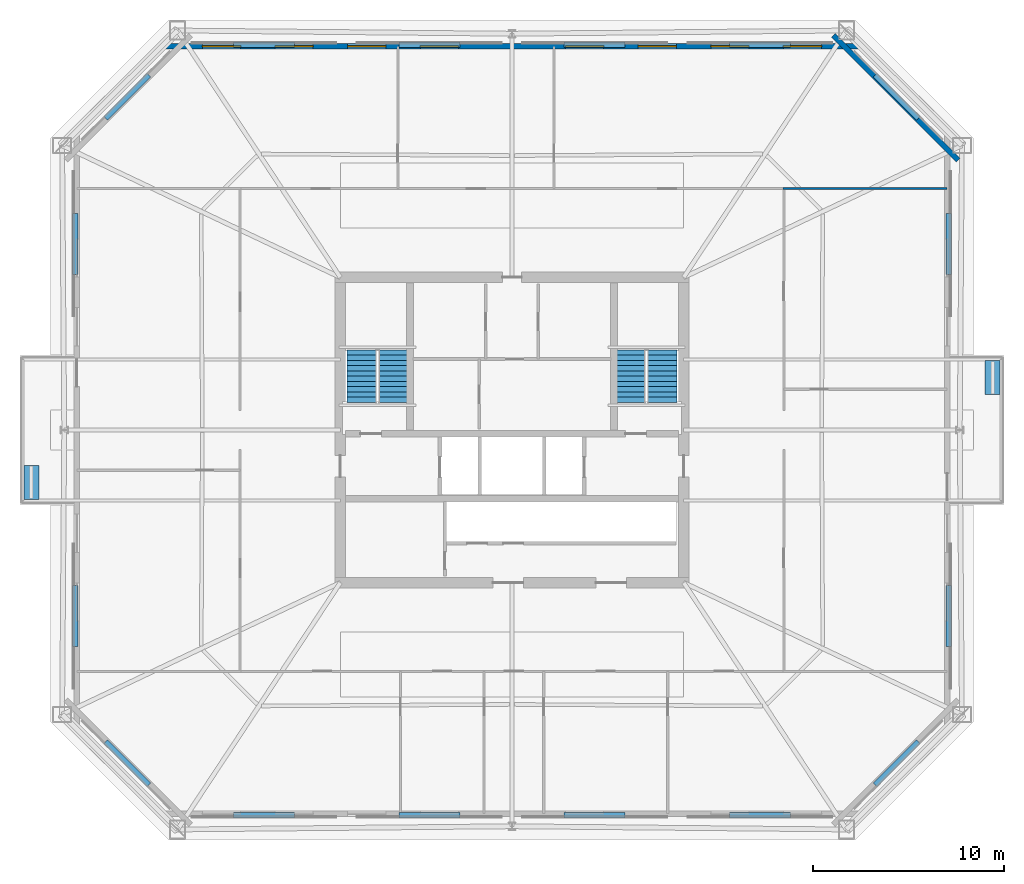
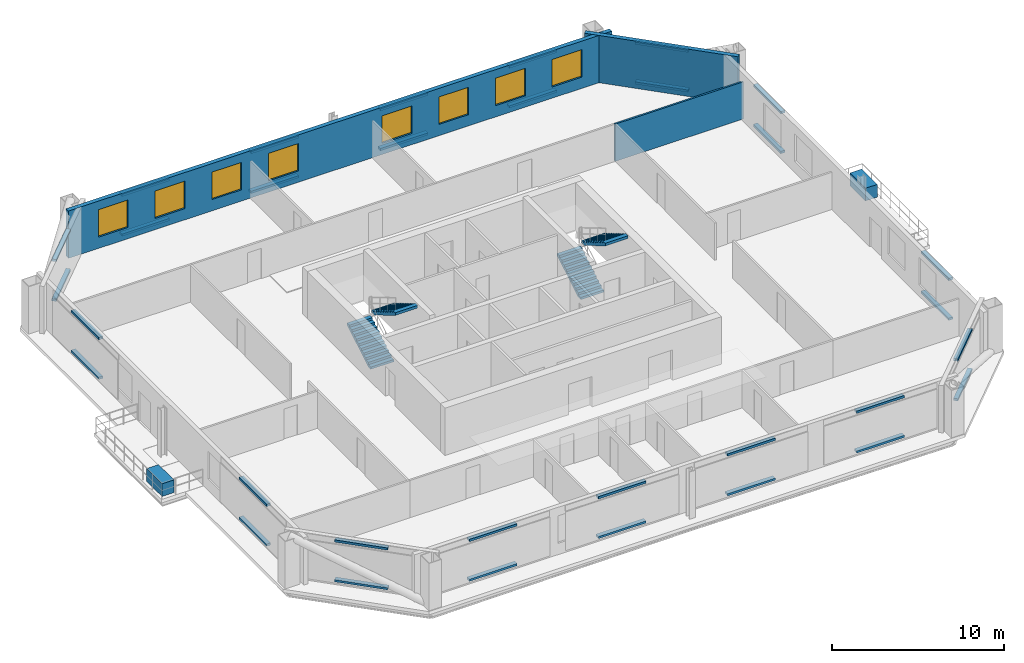
# One storey, part 5 of 8: 34 discrete accessories, 8 windows, 4 stair flights, 3 walls, 8 openings, 2 elements without a shape of their own.
"""IFC4 building model written with IfcOpenShell, lengths in metres."""

from ifc_helpers import new_model, si_unit, direction, frame, frame_2d, origin, origin_2d, place, context, subcontext, project, spatial, polyline, rectangle, outline, extrude, material, layer, layer_set, type_object, element, fill, aggregate, save


model = new_model("IFC4")

# Units and contexts
model_context = context("Model", 3, precision=1e-05, world=origin(), true_north=direction((0.0, 1.0)))
body_context = subcontext(model_context, "Body", "Model", "MODEL_VIEW")
ifc_project = project(units=[si_unit("LENGTHUNIT", "METRE"), si_unit("AREAUNIT", "SQUARE_METRE"), si_unit("VOLUMEUNIT", "CUBIC_METRE"), si_unit("PLANEANGLEUNIT", "RADIAN"), si_unit("MASSUNIT", "GRAM", prefix="KILO")], contexts=[model_context])

# Site, building, storey
site_placement = place(None, origin())
site = spatial("IfcSite", under=ifc_project, at=site_placement, CompositionType="ELEMENT")
building_placement = place(site_placement, origin())
building = spatial("IfcBuilding", under=site, at=building_placement, Name="Caelvoria Tower", CompositionType="ELEMENT")
storey_placement = place(building_placement, frame((0.0, 0.0, 142.0)))
storey = spatial("IfcBuildingStorey", under=building, at=storey_placement, Name="L37", CompositionType="ELEMENT", Elevation=142.0)

# Wall
ifc_material_1 = material(Name="Precast Concrete C40/50 with Bronze Cladding", Category="concrete")
ifc_layer_1 = layer(ifc_material_1, 0.280029296875, Name="Precast Concrete C40/50 with Bronze Cladding")
ifc_layer_set_1 = layer_set([ifc_layer_1], Name="Exterior Precast Concrete C40/50 Bronze-Clad Facade Wall 280 - Precast Concrete C40/50 with Bronze Cladding")
wall_type_1 = type_object("IfcWallType", Name="Exterior Precast Concrete C40/50 Bronze-Clad Facade Wall 280", PredefinedType="STANDARD", material=ifc_layer_set_1)
wall_1_placement = place(storey_placement, frame((69.393798828125, 46.154541015625, 0.0), z_axis=(0.0, 0.0, 1.0), x_axis=(-0.707106781187, 0.707106781187, 0.0)))
element("IfcWall", 1, at=wall_1_placement, inside=storey, type_object=wall_type_1, Name="Exterior Facade Wall L37-E3", PredefinedType="STANDARD", context=body_context, shape_type="SweptSolid", body=[
    extrude(rectangle(XDim=9.248046875, YDim=0.280029296875, at=frame_2d((4.6240234375, 0.0))), origin(), (0.0, 0.0, 1.0), 3.360107421875),
])

# Wall, openings, windows
wall_2_placement = place(storey_placement, frame((64.239990234375, 52.1201171875, 0.0), z_axis=(0.0, 0.0, 1.0), x_axis=(-1.0, 0.0, 0.0)))
wall_2 = element("IfcWall", 2, at=wall_2_placement, inside=storey, type_object=wall_type_1, Name="Exterior Facade Wall L37-E4", PredefinedType="STANDARD", context=body_context, shape_type="SweptSolid", body=[
    extrude(rectangle(XDim=36.47998046875, YDim=0.280029296875, at=frame_2d((18.239990234375, 0.0))), origin(), (0.0, 0.0, 1.0), 3.360107421875),
])
opening_1_placement = place(wall_2_placement, frame((2.00439453125, 0.0, 0.800048828125)))
opening_1 = element("IfcOpeningElement", 3, at=opening_1_placement, cuts=wall_2, Name="Opening WN-01", PredefinedType="OPENING", context=body_context, shape_type="SweptSolid", body=[
    extrude(rectangle(XDim=2.0, YDim=1.949951171875, at=frame_2d((1.0, 0.97509765625))), frame((0.0, 0.14990234375, 0.0), z_axis=(0.0, -1.0, 0.0), x_axis=(1.0, 0.0, 0.0)), (0.0, 0.0, 1.0), 0.300048828125),
])
opening_2_placement = place(wall_2_placement, frame((5.813232421875, 0.0, 0.800048828125)))
opening_2 = element("IfcOpeningElement", 4, at=opening_2_placement, cuts=wall_2, Name="Opening WN-01", PredefinedType="OPENING", context=body_context, shape_type="SweptSolid", body=[
    extrude(rectangle(XDim=2.0, YDim=1.949951171875, at=frame_2d((1.0, 0.97509765625))), frame((0.0, 0.14990234375, 0.0), z_axis=(0.0, -1.0, 0.0), x_axis=(1.0, 0.0, 0.0)), (0.0, 0.0, 1.0), 0.300048828125),
])
opening_3_placement = place(wall_2_placement, frame((9.622314453125, 0.0, 0.800048828125)))
opening_3 = element("IfcOpeningElement", 5, at=opening_3_placement, cuts=wall_2, Name="Opening WN-01", PredefinedType="OPENING", context=body_context, shape_type="SweptSolid", body=[
    extrude(rectangle(XDim=2.0, YDim=1.949951171875, at=frame_2d((1.0, 0.97509765625))), frame((0.0, 0.14990234375, 0.0), z_axis=(0.0, -1.0, 0.0), x_axis=(1.0, 0.0, 0.0)), (0.0, 0.0, 1.0), 0.300048828125),
])
opening_4_placement = place(wall_2_placement, frame((13.43115234375, 0.0, 0.800048828125)))
opening_4 = element("IfcOpeningElement", 6, at=opening_4_placement, cuts=wall_2, Name="Opening WN-01", PredefinedType="OPENING", context=body_context, shape_type="SweptSolid", body=[
    extrude(rectangle(XDim=2.0, YDim=1.949951171875, at=frame_2d((1.0, 0.97509765625))), frame((0.0, 0.14990234375, 0.0), z_axis=(0.0, -1.0, 0.0), x_axis=(1.0, 0.0, 0.0)), (0.0, 0.0, 1.0), 0.300048828125),
])
opening_5_placement = place(wall_2_placement, frame((21.048828125, 0.0, 0.800048828125)))
opening_5 = element("IfcOpeningElement", 7, at=opening_5_placement, cuts=wall_2, Name="Opening WN-01", PredefinedType="OPENING", context=body_context, shape_type="SweptSolid", body=[
    extrude(rectangle(XDim=2.0, YDim=1.949951171875, at=frame_2d((1.0, 0.97509765625))), frame((0.0, 0.14990234375, 0.0), z_axis=(0.0, -1.0, 0.0), x_axis=(1.0, 0.0, 0.0)), (0.0, 0.0, 1.0), 0.300048828125),
])
opening_6_placement = place(wall_2_placement, frame((24.85791015625, 0.0, 0.800048828125)))
opening_6 = element("IfcOpeningElement", 8, at=opening_6_placement, cuts=wall_2, Name="Opening WN-01", PredefinedType="OPENING", context=body_context, shape_type="SweptSolid", body=[
    extrude(rectangle(XDim=2.0, YDim=1.949951171875, at=frame_2d((1.0, 0.97509765625))), frame((0.0, 0.14990234375, 0.0), z_axis=(0.0, -1.0, 0.0), x_axis=(1.0, 0.0, 0.0)), (0.0, 0.0, 1.0), 0.300048828125),
])
opening_7_placement = place(wall_2_placement, frame((28.666748046875, 0.0, 0.800048828125)))
opening_7 = element("IfcOpeningElement", 9, at=opening_7_placement, cuts=wall_2, Name="Opening WN-01", PredefinedType="OPENING", context=body_context, shape_type="SweptSolid", body=[
    extrude(rectangle(XDim=2.0, YDim=1.949951171875, at=frame_2d((1.0, 0.97509765625))), frame((0.0, 0.14990234375, 0.0), z_axis=(0.0, -1.0, 0.0), x_axis=(1.0, 0.0, 0.0)), (0.0, 0.0, 1.0), 0.300048828125),
])
opening_8_placement = place(wall_2_placement, frame((32.4755859375, 0.0, 0.800048828125)))
opening_8 = element("IfcOpeningElement", 10, at=opening_8_placement, cuts=wall_2, Name="Opening WN-01", PredefinedType="OPENING", context=body_context, shape_type="SweptSolid", body=[
    extrude(rectangle(XDim=2.0, YDim=1.949951171875, at=frame_2d((1.0, 0.97509765625))), frame((0.0, 0.14990234375, 0.0), z_axis=(0.0, -1.0, 0.0), x_axis=(1.0, 0.0, 0.0)), (0.0, 0.0, 1.0), 0.300048828125),
])
ifc_material_2 = material(Name="Low-E Tinted Glass in Bronze Aluminium Frame", Category="aluminium")
window_type = type_object("IfcWindowType", Name="Tower Office Vision Window 2000x1950", PartitioningType="SINGLE_PANEL", PredefinedType="WINDOW", material=ifc_material_2)
window_1_placement = place(opening_1_placement, origin())
window_1 = element("IfcWindow", 11, at=window_1_placement, inside=storey, type_object=window_type, Name="Facade Window L37-E4-00", OverallHeight=1.949951171875, OverallWidth=2.0, PartitioningType="SINGLE_PANEL", PredefinedType="WINDOW", context=body_context, shape_type="SweptSolid", body=[
    extrude(rectangle(XDim=2.0, YDim=1.949951171875, at=frame_2d((1.0, 0.97509765625))), frame((0.0, 0.030029296875, 0.0), z_axis=(0.0, -1.0, 0.0), x_axis=(1.0, 0.0, 0.0)), (0.0, 0.0, 1.0), 0.06005859375),
])
fill(opening_1, window_1)
window_2_placement = place(opening_2_placement, origin())
window_2 = element("IfcWindow", 12, at=window_2_placement, inside=storey, type_object=window_type, Name="Facade Window L37-E4-01", OverallHeight=1.949951171875, OverallWidth=2.0, PartitioningType="SINGLE_PANEL", PredefinedType="WINDOW", context=body_context, shape_type="SweptSolid", body=[
    extrude(rectangle(XDim=2.0, YDim=1.949951171875, at=frame_2d((1.0, 0.97509765625))), frame((0.0, 0.030029296875, 0.0), z_axis=(0.0, -1.0, 0.0), x_axis=(1.0, 0.0, 0.0)), (0.0, 0.0, 1.0), 0.06005859375),
])
fill(opening_2, window_2)
window_3_placement = place(opening_3_placement, origin())
window_3 = element("IfcWindow", 13, at=window_3_placement, inside=storey, type_object=window_type, Name="Facade Window L37-E4-02", OverallHeight=1.949951171875, OverallWidth=2.0, PartitioningType="SINGLE_PANEL", PredefinedType="WINDOW", context=body_context, shape_type="SweptSolid", body=[
    extrude(rectangle(XDim=2.0, YDim=1.949951171875, at=frame_2d((1.0, 0.97509765625))), frame((0.0, 0.030029296875, 0.0), z_axis=(0.0, -1.0, 0.0), x_axis=(1.0, 0.0, 0.0)), (0.0, 0.0, 1.0), 0.06005859375),
])
fill(opening_3, window_3)
window_4_placement = place(opening_4_placement, origin())
window_4 = element("IfcWindow", 14, at=window_4_placement, inside=storey, type_object=window_type, Name="Facade Window L37-E4-03", OverallHeight=1.949951171875, OverallWidth=2.0, PartitioningType="SINGLE_PANEL", PredefinedType="WINDOW", context=body_context, shape_type="SweptSolid", body=[
    extrude(rectangle(XDim=2.0, YDim=1.949951171875, at=frame_2d((1.0, 0.97509765625))), frame((0.0, 0.030029296875, 0.0), z_axis=(0.0, -1.0, 0.0), x_axis=(1.0, 0.0, 0.0)), (0.0, 0.0, 1.0), 0.06005859375),
])
fill(opening_4, window_4)
window_5_placement = place(opening_5_placement, origin())
window_5 = element("IfcWindow", 15, at=window_5_placement, inside=storey, type_object=window_type, Name="Facade Window L37-E4-05", OverallHeight=1.949951171875, OverallWidth=2.0, PartitioningType="SINGLE_PANEL", PredefinedType="WINDOW", context=body_context, shape_type="SweptSolid", body=[
    extrude(rectangle(XDim=2.0, YDim=1.949951171875, at=frame_2d((1.0, 0.97509765625))), frame((0.0, 0.030029296875, 0.0), z_axis=(0.0, -1.0, 0.0), x_axis=(1.0, 0.0, 0.0)), (0.0, 0.0, 1.0), 0.06005859375),
])
fill(opening_5, window_5)
window_6_placement = place(opening_6_placement, origin())
window_6 = element("IfcWindow", 16, at=window_6_placement, inside=storey, type_object=window_type, Name="Facade Window L37-E4-06", OverallHeight=1.949951171875, OverallWidth=2.0, PartitioningType="SINGLE_PANEL", PredefinedType="WINDOW", context=body_context, shape_type="SweptSolid", body=[
    extrude(rectangle(XDim=2.0, YDim=1.949951171875, at=frame_2d((1.0, 0.97509765625))), frame((0.0, 0.030029296875, 0.0), z_axis=(0.0, -1.0, 0.0), x_axis=(1.0, 0.0, 0.0)), (0.0, 0.0, 1.0), 0.06005859375),
])
fill(opening_6, window_6)
window_7_placement = place(opening_7_placement, origin())
window_7 = element("IfcWindow", 17, at=window_7_placement, inside=storey, type_object=window_type, Name="Facade Window L37-E4-07", OverallHeight=1.949951171875, OverallWidth=2.0, PartitioningType="SINGLE_PANEL", PredefinedType="WINDOW", context=body_context, shape_type="SweptSolid", body=[
    extrude(rectangle(XDim=2.0, YDim=1.949951171875, at=frame_2d((1.0, 0.97509765625))), frame((0.0, 0.030029296875, 0.0), z_axis=(0.0, -1.0, 0.0), x_axis=(1.0, 0.0, 0.0)), (0.0, 0.0, 1.0), 0.06005859375),
])
fill(opening_7, window_7)
window_8_placement = place(opening_8_placement, origin())
window_8 = element("IfcWindow", 18, at=window_8_placement, inside=storey, type_object=window_type, Name="Facade Window L37-E4-08", OverallHeight=1.949951171875, OverallWidth=2.0, PartitioningType="SINGLE_PANEL", PredefinedType="WINDOW", context=body_context, shape_type="SweptSolid", body=[
    extrude(rectangle(XDim=2.0, YDim=1.949951171875, at=frame_2d((1.0, 0.97509765625))), frame((0.0, 0.030029296875, 0.0), z_axis=(0.0, -1.0, 0.0), x_axis=(1.0, 0.0, 0.0)), (0.0, 0.0, 1.0), 0.06005859375),
])
fill(opening_8, window_8)

# Wall
ifc_material_3 = material(Name="Acoustic Gypsum Board on Light-Gauge Stud", Category="gypsum")
ifc_layer_2 = layer(ifc_material_3, 0.1201171875, Name="Acoustic Gypsum Board on Light-Gauge Stud")
ifc_layer_set_2 = layer_set([ifc_layer_2], Name="Tenant Suite Acoustic Partition Wall 120 - Acoustic Gypsum Board on Light-Gauge Stud")
wall_type_2 = type_object("IfcWallType", Name="Tenant Suite Acoustic Partition Wall 120", PredefinedType="PARTITIONING", material=ifc_layer_set_2)
wall_3_placement = place(storey_placement, frame((60.199951171875, 44.659912109375, 0.0), z_axis=(0.0, 0.0, 1.0), x_axis=(1.0, 0.0, 0.0)))
element("IfcWall", 19, at=wall_3_placement, inside=storey, type_object=wall_type_2, Name="Interior Partition IW-L37-BNE-0", PredefinedType="PARTITIONING", context=body_context, shape_type="SweptSolid", body=[
    extrude(rectangle(XDim=8.6201171875, YDim=0.1201171875, at=frame_2d((4.31005859375, 0.0))), origin(), (0.0, 0.0, 1.0), 2.639892578125),
])

# Stair, stair flights
ifc_material_4 = material(Name="Concrete C40/50", Category="concrete")
stair_type = type_object("IfcStairType", Name="Core Smokeproof Dogleg Stair Concrete C40/50", PredefinedType="HALF_TURN_STAIR", material=ifc_material_4)
stair_1_placement = place(storey_placement, origin())
stair_1 = element("IfcStair", 20, at=stair_1_placement, inside=storey, type_object=stair_type, Name="ST-01 Smokeproof Exit Stair L37", PredefinedType="HALF_TURN_STAIR")
ifc_material_5 = material(Name="Precast Concrete C40/50", Category="concrete")
stair_flight_type = type_object("IfcStairFlightType", Name="Precast Concrete C40/50 Stair Flight 1480", PredefinedType="STRAIGHT", material=ifc_material_5)
stair_flight_1_placement = place(storey_placement, frame((38.1298828125, 33.449951171875, 0.0), z_axis=(0.0, 0.0, 1.0), x_axis=(0.0, 1.0, 0.0)))
stair_flight_1 = element("IfcStairFlight", 21, at=stair_flight_1_placement, type_object=stair_flight_type, Name="ST-01 flight 1", NumberOfRisers=11, NumberOfTreads=10, PredefinedType="STRAIGHT", RiserHeight=0.1636, TreadLength=0.275, context=body_context, shape_type="SweptSolid", body=[
    extrude(outline(polyline([(0.0, 0.0), (0.0, 0.16357421875), (0.27490234375, 0.16357421875), (0.27490234375, 0.3271484375), (0.550048828125, 0.3271484375), (0.550048828125, 0.49072265625), (0.824951171875, 0.49072265625), (0.824951171875, 0.654296875), (1.10009765625, 0.654296875), (1.10009765625, 0.818115234375), (1.375, 0.818115234375), (1.375, 0.981689453125), (1.64990234375, 0.981689453125), (1.64990234375, 1.145263671875), (1.925048828125, 1.145263671875), (1.925048828125, 1.308837890625), (2.199951171875, 1.308837890625), (2.199951171875, 1.472412109375), (2.47509765625, 1.472412109375), (2.47509765625, 1.635986328125), (2.75, 1.635986328125), (2.75, 1.799560546875), (2.75, 1.449951171875), (0.312744140625, 0.0), (0.0, 0.0)])), frame((0.0, 0.77001953125, 0.0), z_axis=(0.0, -1.0, 0.0), x_axis=(1.0, 0.0, 0.0)), (0.0, 0.0, 1.0), 1.5400390625),
])
stair_flight_2_placement = place(storey_placement, frame((39.77001953125, 36.199951171875, 1.800048828125), z_axis=(0.0, 0.0, 1.0), x_axis=(0.0, -1.0, 0.0)))
stair_flight_2 = element("IfcStairFlight", 22, at=stair_flight_2_placement, type_object=stair_flight_type, Name="ST-01 flight 2", NumberOfRisers=11, NumberOfTreads=10, PredefinedType="STRAIGHT", RiserHeight=0.1636, TreadLength=0.275, context=body_context, shape_type="SweptSolid", body=[
    extrude(outline(polyline([(0.0, 0.0), (0.0, 0.16357421875), (0.27490234375, 0.16357421875), (0.27490234375, 0.3271484375), (0.550048828125, 0.3271484375), (0.550048828125, 0.49072265625), (0.824951171875, 0.49072265625), (0.824951171875, 0.654296875), (1.10009765625, 0.654296875), (1.10009765625, 0.818115234375), (1.375, 0.818115234375), (1.375, 0.981689453125), (1.64990234375, 0.981689453125), (1.64990234375, 1.145263671875), (1.925048828125, 1.145263671875), (1.925048828125, 1.308837890625), (2.199951171875, 1.308837890625), (2.199951171875, 1.472412109375), (2.47509765625, 1.472412109375), (2.47509765625, 1.635986328125), (2.75, 1.635986328125), (2.75, 1.799560546875), (2.75, 1.449951171875), (0.312744140625, 0.0), (0.0, 0.0)])), frame((0.0, 0.77001953125, 0.0), z_axis=(0.0, -1.0, 0.0), x_axis=(1.0, 0.0, 0.0)), (0.0, 0.0, 1.0), 1.5400390625),
])
aggregate(stair_1, [stair_flight_1, stair_flight_2])

stair_2_placement = place(storey_placement, origin())
stair_2 = element("IfcStair", 23, at=stair_2_placement, inside=storey, type_object=stair_type, Name="ST-02 Smokeproof Exit Stair L37", PredefinedType="HALF_TURN_STAIR")
stair_flight_3_placement = place(storey_placement, frame((52.22998046875, 33.449951171875, 0.0), z_axis=(0.0, 0.0, 1.0), x_axis=(0.0, 1.0, 0.0)))
stair_flight_3 = element("IfcStairFlight", 24, at=stair_flight_3_placement, type_object=stair_flight_type, Name="ST-02 flight 1", NumberOfRisers=11, NumberOfTreads=10, PredefinedType="STRAIGHT", RiserHeight=0.1636, TreadLength=0.275, context=body_context, shape_type="SweptSolid", body=[
    extrude(outline(polyline([(0.0, 0.0), (0.0, 0.16357421875), (0.27490234375, 0.16357421875), (0.27490234375, 0.3271484375), (0.550048828125, 0.3271484375), (0.550048828125, 0.49072265625), (0.824951171875, 0.49072265625), (0.824951171875, 0.654296875), (1.10009765625, 0.654296875), (1.10009765625, 0.818115234375), (1.375, 0.818115234375), (1.375, 0.981689453125), (1.64990234375, 0.981689453125), (1.64990234375, 1.145263671875), (1.925048828125, 1.145263671875), (1.925048828125, 1.308837890625), (2.199951171875, 1.308837890625), (2.199951171875, 1.472412109375), (2.47509765625, 1.472412109375), (2.47509765625, 1.635986328125), (2.75, 1.635986328125), (2.75, 1.799560546875), (2.75, 1.449951171875), (0.312744140625, 0.0), (0.0, 0.0)])), frame((0.0, 0.77001953125, 0.0), z_axis=(0.0, -1.0, 0.0), x_axis=(1.0, 0.0, 0.0)), (0.0, 0.0, 1.0), 1.5400390625),
])
stair_flight_4_placement = place(storey_placement, frame((53.8701171875, 36.199951171875, 1.800048828125), z_axis=(0.0, 0.0, 1.0), x_axis=(0.0, -1.0, 0.0)))
stair_flight_4 = element("IfcStairFlight", 25, at=stair_flight_4_placement, type_object=stair_flight_type, Name="ST-02 flight 2", NumberOfRisers=11, NumberOfTreads=10, PredefinedType="STRAIGHT", RiserHeight=0.1636, TreadLength=0.275, context=body_context, shape_type="SweptSolid", body=[
    extrude(outline(polyline([(0.0, 0.0), (0.0, 0.16357421875), (0.27490234375, 0.16357421875), (0.27490234375, 0.3271484375), (0.550048828125, 0.3271484375), (0.550048828125, 0.49072265625), (0.824951171875, 0.49072265625), (0.824951171875, 0.654296875), (1.10009765625, 0.654296875), (1.10009765625, 0.818115234375), (1.375, 0.818115234375), (1.375, 0.981689453125), (1.64990234375, 0.981689453125), (1.64990234375, 1.145263671875), (1.925048828125, 1.145263671875), (1.925048828125, 1.308837890625), (2.199951171875, 1.308837890625), (2.199951171875, 1.472412109375), (2.47509765625, 1.472412109375), (2.47509765625, 1.635986328125), (2.75, 1.635986328125), (2.75, 1.799560546875), (2.75, 1.449951171875), (0.312744140625, 0.0), (0.0, 0.0)])), frame((0.0, 0.77001953125, 0.0), z_axis=(0.0, -1.0, 0.0), x_axis=(1.0, 0.0, 0.0)), (0.0, 0.0, 1.0), 1.5400390625),
])
aggregate(stair_2, [stair_flight_3, stair_flight_4])

# Discrete accessories
ifc_material_6 = material(Name="Anodised Bronze Stainless Bracket", Category="bronze")
discrete_accessory_type_1 = type_object("IfcDiscreteAccessoryType", Name="Solar Screen Outrigger Support Bracket", PredefinedType="BRACKET", material=ifc_material_6)
for number, where, z_axis, x_axis, name in (
    (26, (32.9951171875, 11.802978515625, 0.240234375), (0.0, 0.0, 1.0), (1.0, 0.0, 0.0), "Solar Screen Bracket L37-E0-00"),
    (27, (32.9951171875, 11.802978515625, 3.06005859375), (0.0, 0.0, 1.0), (1.0, 0.0, 0.0), "Upper Screen Band Bracket L37-E0-00"),
    (28, (41.6650390625, 11.802978515625, 0.240234375), (0.0, 0.0, 1.0), (1.0, 0.0, 0.0), "Solar Screen Bracket L37-E0-01"),
    (29, (41.6650390625, 11.802978515625, 3.06005859375), (0.0, 0.0, 1.0), (1.0, 0.0, 0.0), "Upper Screen Band Bracket L37-E0-01"),
    (30, (50.3349609375, 11.802978515625, 0.240234375), (0.0, 0.0, 1.0), (1.0, 0.0, 0.0), "Solar Screen Bracket L37-E0-02"),
    (31, (50.3349609375, 11.802978515625, 3.06005859375), (0.0, 0.0, 1.0), (1.0, 0.0, 0.0), "Upper Screen Band Bracket L37-E0-02"),
    (32, (59.0048828125, 11.802978515625, 0.240234375), (0.0, 0.0, 1.0), (1.0, 0.0, 0.0), "Solar Screen Bracket L37-E0-03"),
    (33, (59.0048828125, 11.802978515625, 3.06005859375), (0.0, 0.0, 1.0), (1.0, 0.0, 0.0), "Upper Screen Band Bracket L37-E0-03"),
    (34, (66.1787109375, 14.521484375, 0.240234375), (0.0, 0.0, 1.0), (0.707106781187, 0.707106781187, 0.0), "Solar Screen Bracket L37-E1-00"),
    (35, (66.1787109375, 14.521484375, 3.06005859375), (0.0, 0.0, 1.0), (0.707106781187, 0.707106781187, 0.0), "Upper Screen Band Bracket L37-E1-00"),
    (36, (68.89697265625, 22.239990234375, 0.240234375), (0.0, 0.0, 1.0), (0.0, 1.0, 0.0), "Solar Screen Bracket L37-E2-00"),
    (37, (68.89697265625, 22.239990234375, 3.06005859375), (0.0, 0.0, 1.0), (0.0, 1.0, 0.0), "Upper Screen Band Bracket L37-E2-00"),
    (38, (68.89697265625, 41.760009765625, 0.240234375), (0.0, 0.0, 1.0), (0.0, 1.0, 0.0), "Solar Screen Bracket L37-E2-02"),
    (39, (68.89697265625, 41.760009765625, 3.06005859375), (0.0, 0.0, 1.0), (0.0, 1.0, 0.0), "Upper Screen Band Bracket L37-E2-02"),
    (40, (66.1787109375, 49.478515625, 0.240234375), (0.0, 0.0, 1.0), (-0.707106781187, 0.707106781187, 0.0), "Solar Screen Bracket L37-E3-00"),
    (41, (66.1787109375, 49.478515625, 3.06005859375), (0.0, 0.0, 1.0), (-0.707106781187, 0.707106781187, 0.0), "Upper Screen Band Bracket L37-E3-00"),
    (42, (59.0048828125, 52.197021484375, 0.240234375), (0.0, 0.0, 1.0), (-1.0, 0.0, 0.0), "Solar Screen Bracket L37-E4-00"),
    (43, (59.0048828125, 52.197021484375, 3.06005859375), (0.0, 0.0, 1.0), (-1.0, 0.0, 0.0), "Upper Screen Band Bracket L37-E4-00"),
    (44, (50.3349609375, 52.197021484375, 0.240234375), (0.0, 0.0, 1.0), (-1.0, 0.0, 0.0), "Solar Screen Bracket L37-E4-01"),
    (45, (50.3349609375, 52.197021484375, 3.06005859375), (0.0, 0.0, 1.0), (-1.0, 0.0, 0.0), "Upper Screen Band Bracket L37-E4-01"),
    (46, (41.6650390625, 52.197021484375, 0.240234375), (0.0, 0.0, 1.0), (-1.0, 0.0, 0.0), "Solar Screen Bracket L37-E4-02"),
    (47, (41.6650390625, 52.197021484375, 3.06005859375), (0.0, 0.0, 1.0), (-1.0, 0.0, 0.0), "Upper Screen Band Bracket L37-E4-02"),
    (48, (32.9951171875, 52.197021484375, 0.240234375), (0.0, 0.0, 1.0), (-1.0, 0.0, 0.0), "Solar Screen Bracket L37-E4-03"),
    (49, (32.9951171875, 52.197021484375, 3.06005859375), (0.0, 0.0, 1.0), (-1.0, 0.0, 0.0), "Upper Screen Band Bracket L37-E4-03"),
    (50, (25.8212890625, 49.478515625, 0.240234375), (0.0, 0.0, 1.0), (-0.707106781187, -0.707106781187, 0.0), "Solar Screen Bracket L37-E5-00"),
    (51, (25.8212890625, 49.478515625, 3.06005859375), (0.0, 0.0, 1.0), (-0.707106781187, -0.707106781187, 0.0), "Upper Screen Band Bracket L37-E5-00"),
    (52, (23.10302734375, 41.760009765625, 0.240234375), (0.0, 0.0, 1.0), (0.0, -1.0, 0.0), "Solar Screen Bracket L37-E6-00"),
    (53, (23.10302734375, 41.760009765625, 3.06005859375), (0.0, 0.0, 1.0), (0.0, -1.0, 0.0), "Upper Screen Band Bracket L37-E6-00"),
    (54, (23.10302734375, 22.239990234375, 0.240234375), (0.0, 0.0, 1.0), (0.0, -1.0, 0.0), "Solar Screen Bracket L37-E6-02"),
    (55, (23.10302734375, 22.239990234375, 3.06005859375), (0.0, 0.0, 1.0), (0.0, -1.0, 0.0), "Upper Screen Band Bracket L37-E6-02"),
    (56, (25.8212890625, 14.521484375, 0.240234375), (0.0, 0.0, 1.0), (0.707106781187, -0.707106781187, 0.0), "Solar Screen Bracket L37-E7-00"),
    (57, (25.8212890625, 14.521484375, 3.06005859375), (0.0, 0.0, 1.0), (0.707106781187, -0.707106781187, 0.0), "Upper Screen Band Bracket L37-E7-00"),
):
    element("IfcDiscreteAccessory", number, at=place(storey_placement, frame(where, z_axis=z_axis, x_axis=x_axis)), inside=storey, type_object=discrete_accessory_type_1, Name=name, PredefinedType="BRACKET", context=body_context, shape_type="SweptSolid", body=[
        extrude(rectangle(XDim=3.199951171875, YDim=0.280029296875, at=origin_2d()), origin(), (0.0, 0.0, 1.0), 0.159912109375),
    ])
ifc_material_7 = material(Name="Bronze-Clad Concrete C40/50 Planter Vessel", Category="concrete")
discrete_accessory_type_2 = type_object("IfcDiscreteAccessoryType", Name="Tree Balcony Structural Planter Vessel PLANTER", PredefinedType="USERDEFINED", material=ifc_material_7)
for number, where, z_axis, x_axis, name in (
    (58, (20.800048828125, 29.25, 0.0), (0.0, 0.0, 1.0), (0.0, 1.0, 0.0), "Tree Balcony Planter TB-L37-W"),
    (59, (71.199951171875, 34.75, 0.0), (0.0, 0.0, 1.0), (0.0, 1.0, 0.0), "Tree Balcony Planter TB-L37-E"),
):
    element("IfcDiscreteAccessory", number, at=place(storey_placement, frame(where, z_axis=z_axis, x_axis=x_axis)), inside=storey, type_object=discrete_accessory_type_2, Name=name, ObjectType="PLANTER", PredefinedType="USERDEFINED", context=body_context, shape_type="SweptSolid", body=[
        extrude(rectangle(XDim=1.800048828125, YDim=0.800048828125, at=origin_2d()), origin(), (0.0, 0.0, 1.0), 0.89990234375),
    ])

save(model, "model.ifc")
